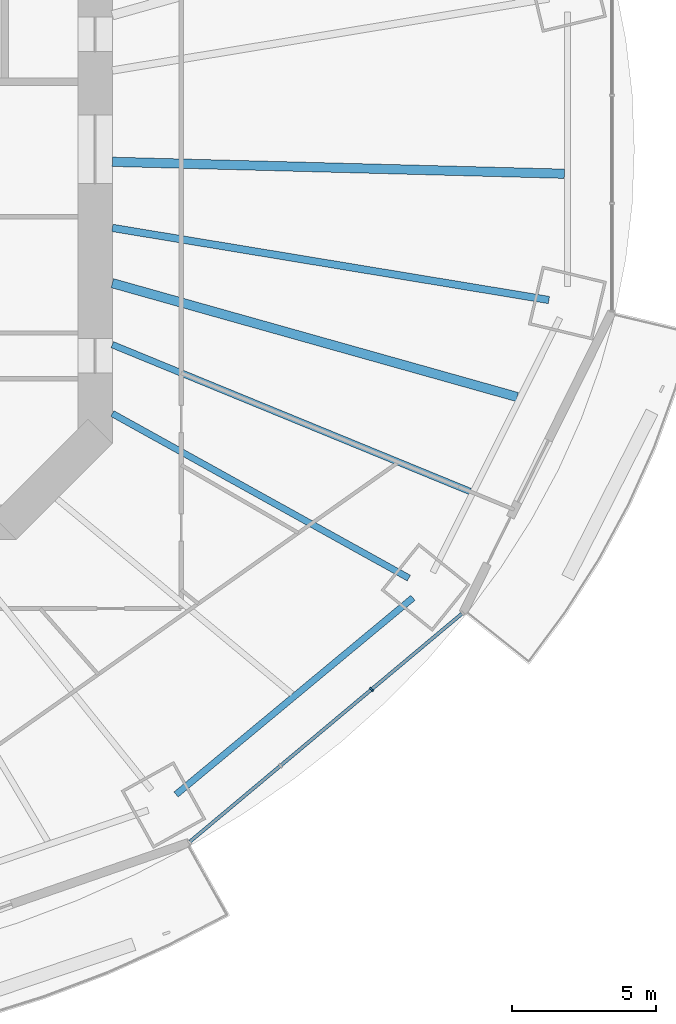
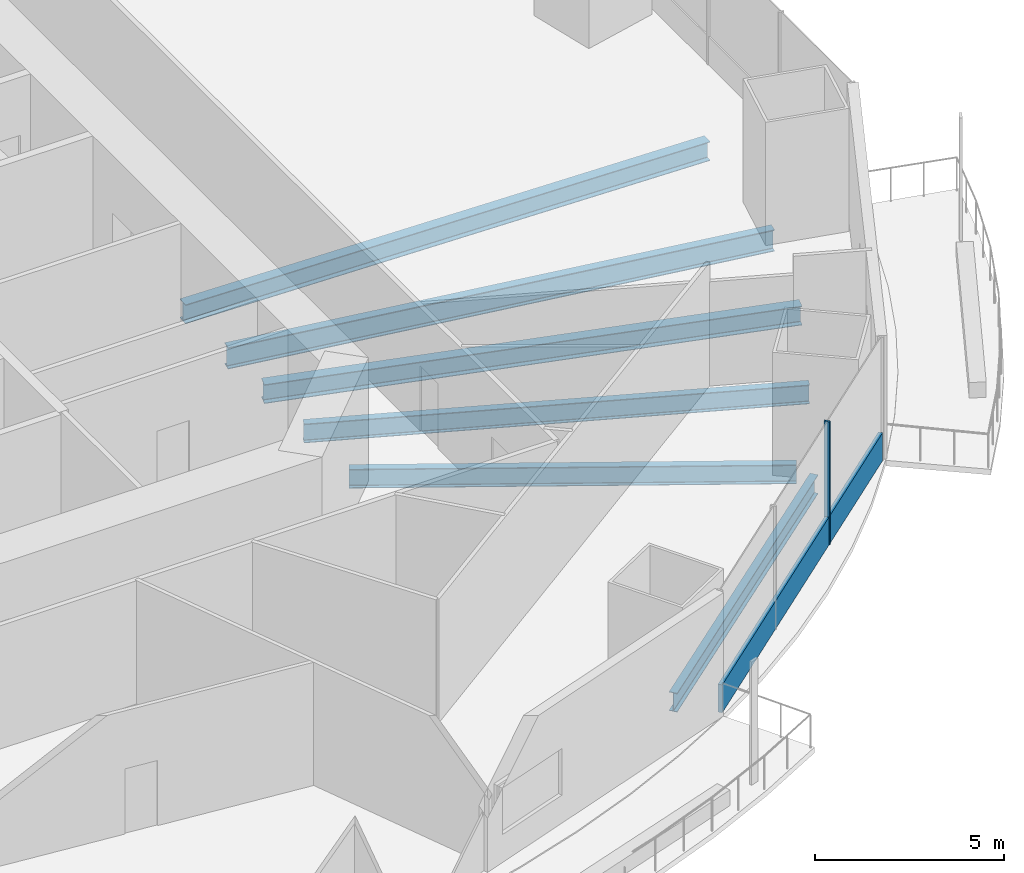
# One storey, part 5 of 22: 6 beams, 2 members, 1 element without a shape of its own.
"""IFC4 building model written with IfcOpenShell, lengths in metres."""

from ifc_helpers import new_model, si_unit, direction, frame, origin, origin_2d, place, context, subcontext, project, spatial, rectangle, i_section, extrude, material, material_profile, profile_set, type_object, element, aggregate, save


model = new_model("IFC4")

# Units and contexts
model_context = context("Model", 3, precision=1e-05, world=origin(), true_north=direction((0.0, 1.0)))
body_context = subcontext(model_context, "Body", "Model", "MODEL_VIEW")
ifc_project = project(units=[si_unit("LENGTHUNIT", "METRE"), si_unit("AREAUNIT", "SQUARE_METRE"), si_unit("VOLUMEUNIT", "CUBIC_METRE"), si_unit("PLANEANGLEUNIT", "RADIAN"), si_unit("MASSUNIT", "GRAM", prefix="KILO")], contexts=[model_context])

# Site, building, storey
site_placement = place(None, origin())
site = spatial("IfcSite", under=ifc_project, at=site_placement, CompositionType="ELEMENT")
building_placement = place(site_placement, origin())
building = spatial("IfcBuilding", under=site, at=building_placement, Name="Marenthal Gate Tower", CompositionType="ELEMENT")
storey_placement = place(building_placement, frame((0.0, 0.0, 103.550048828125)))
storey = spatial("IfcBuildingStorey", under=building, at=storey_placement, Name="L21", CompositionType="ELEMENT", Elevation=103.550048828125)

# Curtain wall, members
ifc_material_1 = material(Name="Aluminium and glass", Category="aluminium")
curtain_wall_type = type_object("IfcCurtainWallType", Name="Curtain wall typical low", PredefinedType="NOTDEFINED", material=ifc_material_1)
curtain_wall_placement = place(storey_placement, origin())
curtain_wall = element("IfcCurtainWall", 1, at=curtain_wall_placement, inside=storey, type_object=curtain_wall_type, Name="Curtain wall L21 bay 14", PredefinedType="NOTDEFINED")
ifc_material_2 = material(Name="Aluminium", Category="aluminium")
ifc_material_profile_1 = material_profile(ifc_material_2, rectangle(XDim=0.159912109375, YDim=0.06005859375, at=origin_2d()), Name="60x160 aluminium mullion")
ifc_profile_set_1 = profile_set([ifc_material_profile_1], Name="Aluminium")
member_type_1 = type_object("IfcMemberType", Name="Mullion 60x160 typical low", PredefinedType="MULLION", material=ifc_profile_set_1)
member_1_placement = place(storey_placement, frame((25.62939453125, -18.8193359375, 0.0), z_axis=(0.0, 0.0, 1.0), x_axis=(-0.642307658805, 0.766446913648, 0.0)))
member_1 = element("IfcMember", 2, at=member_1_placement, type_object=member_type_1, Name="Mullion L21 bay 14.3", PredefinedType="MULLION", context=body_context, shape_type="SweptSolid", body=[
    extrude(rectangle(XDim=0.159912109375, YDim=0.06005859375, at=origin_2d()), origin(), (0.0, 0.0, 1.0), 3.969970703125),
])
ifc_material_3 = material(Name="Aluminium", Category="aluminium")
ifc_material_profile_2 = material_profile(ifc_material_3, rectangle(XDim=0.1201171875, YDim=0.89990234375, at=origin_2d()), Name="120x900 aluminium transom")
ifc_profile_set_2 = profile_set([ifc_material_profile_2], Name="Aluminium")
member_type_2 = type_object("IfcMemberType", Name="Transom 120x900 typical low", PredefinedType="USERDEFINED", material=ifc_profile_set_2)
member_2_placement = place(storey_placement, frame((19.306396484375, -24.1181640625, 0.449951171875), z_axis=(0.766442158037, 0.642313333494, 0.0), x_axis=(-0.642313333494, 0.766442158037, 0.0)))
member_2 = element("IfcMember", 3, at=member_2_placement, type_object=member_type_2, Name="Transom L21 bay 14", ObjectType="TRANSOM", PredefinedType="USERDEFINED", context=body_context, shape_type="SweptSolid", body=[
    extrude(rectangle(XDim=0.1201171875, YDim=0.89990234375, at=origin_2d()), origin(), (0.0, 0.0, 1.0), 12.359619140625),
])
aggregate(curtain_wall, [member_1, member_2])

# Beams
ifc_material_4 = material(Name="Steel S355", Category="steel")
ifc_material_profile_3 = material_profile(ifc_material_4, i_section(OverallWidth=0.22900390625, OverallDepth=0.612060546875, WebThickness=0.011962890625, FlangeThickness=0.01953125, FilletRadius=0.0126953125, at=origin_2d()), Name="W610X125")
ifc_profile_set_3 = profile_set([ifc_material_profile_3], Name="Steel S355")
beam_type_1 = type_object("IfcBeamType", Name="W610X125 beam", PredefinedType="BEAM", material=ifc_profile_set_3)
beam_1_placement = place(storey_placement, frame((26.928466796875, -14.939697265625, -0.486083984375), z_axis=(-0.874435979354, 0.485140925929, 0.0), x_axis=(-0.485140925929, -0.874435979354, 0.0)))
element("IfcBeam", 4, at=beam_1_placement, inside=storey, type_object=beam_type_1, Name="BM-L21-15", PredefinedType="BEAM", context=body_context, shape_type="SweptSolid", body=[
    extrude(i_section(OverallWidth=0.22900390625, OverallDepth=0.612060546875, WebThickness=0.011962890625, FlangeThickness=0.01953125, FilletRadius=0.0126953125, at=origin_2d()), origin(), (0.0, 0.0, 1.0), 11.8115234375),
])
beam_2_placement = place(storey_placement, frame((29.060302734375, -11.921630859375, -0.486083984375), z_axis=(-0.925176615925, 0.379536861642, 0.0), x_axis=(-0.379536861642, -0.925176615925, 0.0)))
element("IfcBeam", 5, at=beam_2_placement, inside=storey, type_object=beam_type_1, Name="BM-L21-38", PredefinedType="BEAM", context=body_context, shape_type="SweptSolid", body=[
    extrude(i_section(OverallWidth=0.22900390625, OverallDepth=0.612060546875, WebThickness=0.011962890625, FlangeThickness=0.01953125, FilletRadius=0.0126953125, at=origin_2d()), origin(), (0.0, 0.0, 1.0), 13.468017578125),
])
beam_3_placement = place(storey_placement, frame((18.820068359375, -22.479736328125, -0.486083984375), z_axis=(0.769369356562, 0.638804190017, 0.0), x_axis=(-0.638804190017, 0.769369356562, 0.0)))
element("IfcBeam", 6, at=beam_3_placement, inside=storey, type_object=beam_type_1, Name="BM-L21-54", PredefinedType="BEAM", context=body_context, shape_type="SweptSolid", body=[
    extrude(i_section(OverallWidth=0.22900390625, OverallDepth=0.612060546875, WebThickness=0.011962890625, FlangeThickness=0.01953125, FilletRadius=0.0126953125, at=origin_2d()), origin(), (0.0, 0.0, 1.0), 10.7255859375),
])
ifc_material_5 = material(Name="Steel S355", Category="steel")
ifc_material_profile_4 = material_profile(ifc_material_5, i_section(OverallWidth=0.324951171875, OverallDepth=0.612060546875, WebThickness=0.0126953125, FlangeThickness=0.01904296875, FilletRadius=0.0126953125, at=origin_2d()), Name="W610X155")
ifc_profile_set_4 = profile_set([ifc_material_profile_4], Name="Steel S355")
beam_type_2 = type_object("IfcBeamType", Name="W610X155 beam", PredefinedType="BEAM", material=ifc_profile_set_4)
beam_4_placement = place(storey_placement, frame((30.701416015625, -8.631591796875, -0.486083984375), z_axis=(-0.962675778396, 0.270657247621, 0.0), x_axis=(-0.270657247621, -0.962675778396, 0.0)))
element("IfcBeam", 7, at=beam_4_placement, inside=storey, type_object=beam_type_2, Name="BM-L21-39", PredefinedType="BEAM", context=body_context, shape_type="SweptSolid", body=[
    extrude(i_section(OverallWidth=0.324951171875, OverallDepth=0.612060546875, WebThickness=0.0126953125, FlangeThickness=0.01904296875, FilletRadius=0.0126953125, at=origin_2d()), origin(), (0.0, 0.0, 1.0), 14.64794921875),
])
beam_5_placement = place(storey_placement, frame((32.34619140625, -0.854736328125, -0.486083984375), z_axis=(-0.999651167987, 0.026411026889, 0.0), x_axis=(-0.026411026889, -0.999651167987, 0.0)))
element("IfcBeam", 8, at=beam_5_placement, inside=storey, type_object=beam_type_2, Name="BM-L21-40", PredefinedType="BEAM", context=body_context, shape_type="SweptSolid", body=[
    extrude(i_section(OverallWidth=0.324951171875, OverallDepth=0.612060546875, WebThickness=0.0126953125, FlangeThickness=0.01904296875, FilletRadius=0.0126953125, at=origin_2d()), origin(), (0.0, 0.0, 1.0), 15.751708984375),
])
ifc_material_6 = material(Name="Steel S355", Category="steel")
ifc_material_profile_5 = material_profile(ifc_material_6, i_section(OverallWidth=0.257080078125, OverallDepth=0.693115234375, WebThickness=0.014404296875, FlangeThickness=0.023681640625, FilletRadius=0.015380859375, at=origin_2d()), Name="W690X170")
ifc_profile_set_5 = profile_set([ifc_material_profile_5], Name="Steel S355")
beam_type_3 = type_object("IfcBeamType", Name="W690X170 beam", PredefinedType="BEAM", material=ifc_profile_set_5)
beam_6_placement = place(storey_placement, frame((31.80810546875, -5.25341796875, -0.526611328125), z_axis=(-0.986634295721, 0.162950196404, 0.0), x_axis=(-0.162950196404, -0.986634295721, 0.0)))
element("IfcBeam", 9, at=beam_6_placement, inside=storey, type_object=beam_type_3, Name="BM-L21-16", PredefinedType="BEAM", context=body_context, shape_type="SweptSolid", body=[
    extrude(i_section(OverallWidth=0.257080078125, OverallDepth=0.693115234375, WebThickness=0.014404296875, FlangeThickness=0.023681640625, FilletRadius=0.015380859375, at=origin_2d()), origin(), (0.0, 0.0, 1.0), 15.4140625),
])

save(model, "model.ifc")
